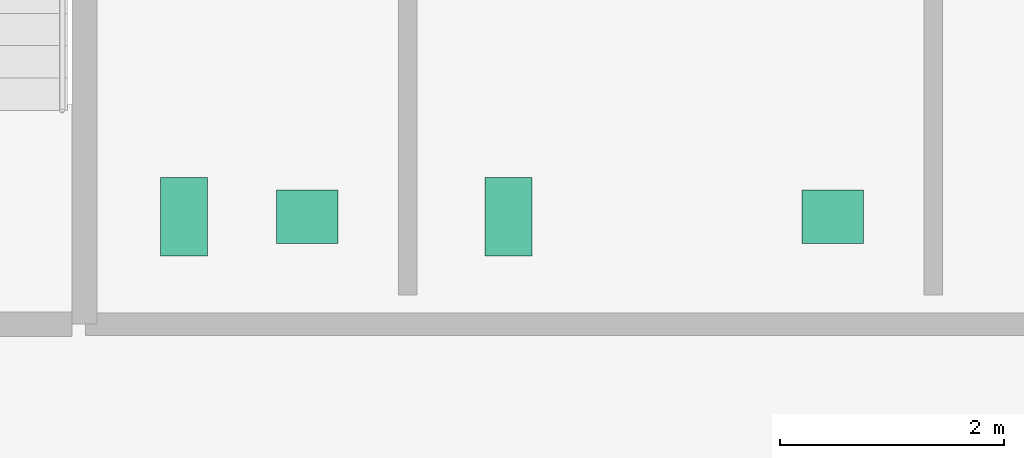
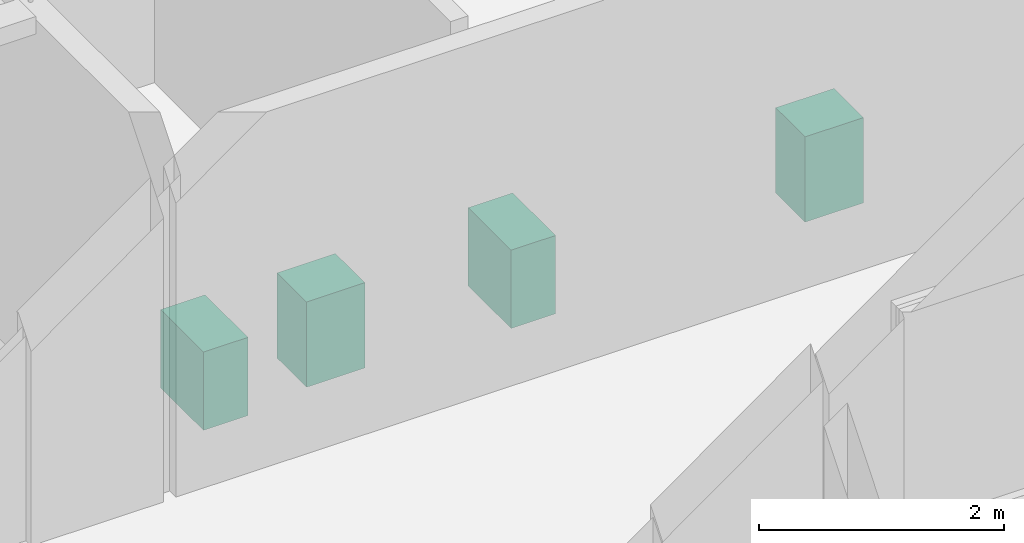
# One storey, part 11 of 11: 4 sanitary terminals.
"""IFC4 building model written with IfcOpenShell, lengths in metres."""

from ifc_helpers import new_model, si_unit, direction, frame, origin, origin_2d, place, context, subcontext, project, spatial, rectangle, extrude, material, type_object, element, save


model = new_model("IFC4")

# Units and contexts
model_context = context("Model", 3, precision=1e-05, world=origin(), true_north=direction((0.0, 1.0)))
body_context = subcontext(model_context, "Body", "Model", "MODEL_VIEW")
ifc_project = project(units=[si_unit("LENGTHUNIT", "METRE"), si_unit("AREAUNIT", "SQUARE_METRE"), si_unit("VOLUMEUNIT", "CUBIC_METRE"), si_unit("PLANEANGLEUNIT", "RADIAN"), si_unit("MASSUNIT", "GRAM", prefix="KILO")], contexts=[model_context])

# Site, building, storey
site_placement = place(None, origin())
site = spatial("IfcSite", under=ifc_project, at=site_placement, CompositionType="ELEMENT")
building_placement = place(site_placement, origin())
building = spatial("IfcBuilding", under=site, at=building_placement, Name="Norrvale University Quadrangle", CompositionType="ELEMENT")
storey_placement = place(building_placement, frame((0.0, 0.0, 284.800048828125)))
storey = spatial("IfcBuildingStorey", under=building, at=storey_placement, Name="L72", CompositionType="ELEMENT", Elevation=284.800048828125)

# Sanitary terminals
ifc_material = material(Name="Vitreous China Sanitaryware")
sanitary_terminal_type_1 = type_object("IfcSanitaryTerminalType", Name="Sanitary Wash Basin", PredefinedType="WASHHANDBASIN", material=ifc_material)
for number, where, z_axis, x_axis, name in (
    (1, (8.300048828125, 41.10009765625, 0.0), (0.0, 0.0, 1.0), (1.0, 0.0, 0.0), "Accessible Countertop Washbasin L72-1"),
    (2, (13.0, 41.10009765625, 0.0), (0.0, 0.0, 1.0), (1.0, 0.0, 0.0), "Accessible Countertop Washbasin L72-2"),
):
    element("IfcSanitaryTerminal", number, at=place(storey_placement, frame(where, z_axis=z_axis, x_axis=x_axis)), inside=storey, type_object=sanitary_terminal_type_1, Name=name, PredefinedType="WASHHANDBASIN", context=body_context, shape_type="SweptSolid", body=[
        extrude(rectangle(XDim=0.550048828125, YDim=0.47998046875, at=origin_2d()), origin(), (0.0, 0.0, 1.0), 0.85009765625),
    ])
sanitary_terminal_type_2 = type_object("IfcSanitaryTerminalType", Name="Sanitary Water Closet", PredefinedType="TOILETPAN", material=ifc_material)
for number, where, z_axis, x_axis, name in (
    (3, (7.199951171875, 41.10009765625, 0.0), (0.0, 0.0, 1.0), (1.0, 0.0, 0.0), "Wall-Hung Water Closet L72-1"),
    (4, (10.10009765625, 41.10009765625, 0.0), (0.0, 0.0, 1.0), (1.0, 0.0, 0.0), "Wall-Hung Water Closet L72-2"),
):
    element("IfcSanitaryTerminal", number, at=place(storey_placement, frame(where, z_axis=z_axis, x_axis=x_axis)), inside=storey, type_object=sanitary_terminal_type_2, Name=name, PredefinedType="TOILETPAN", context=body_context, shape_type="SweptSolid", body=[
        extrude(rectangle(XDim=0.419921875, YDim=0.699951171875, at=origin_2d()), origin(), (0.0, 0.0, 1.0), 0.780029296875),
    ])

save(model, "model.ifc")
